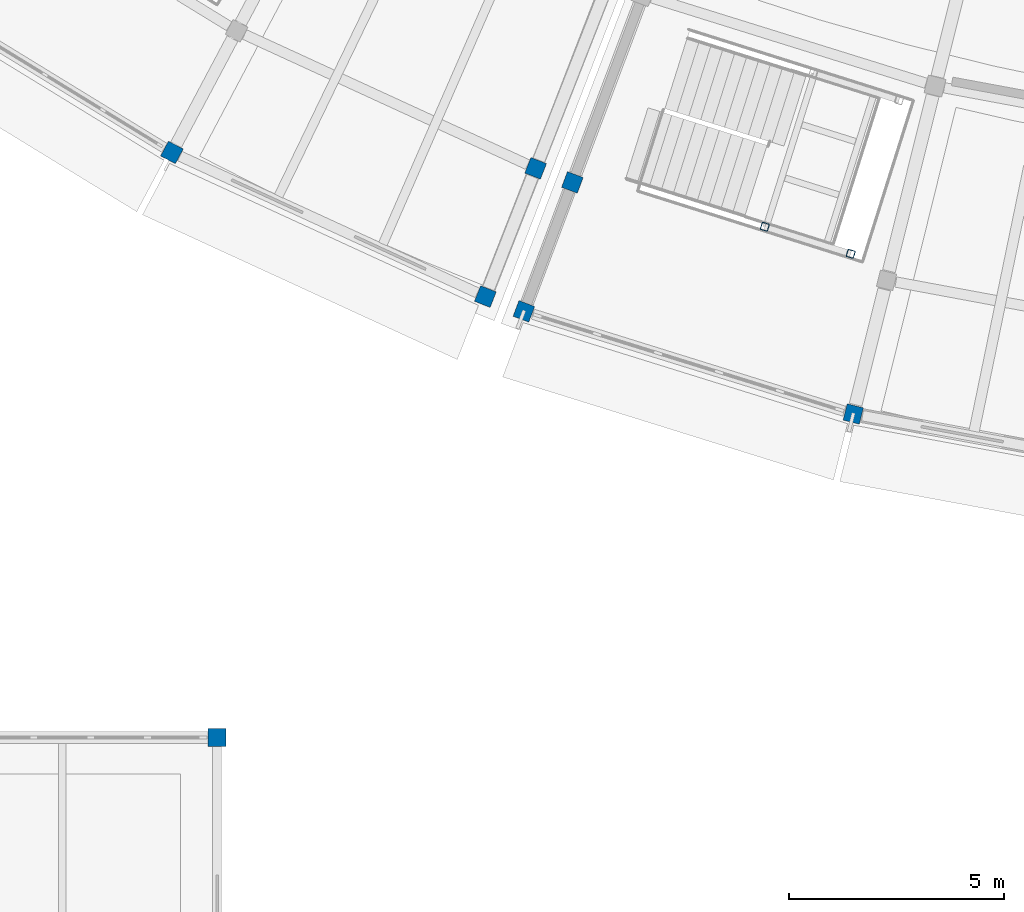
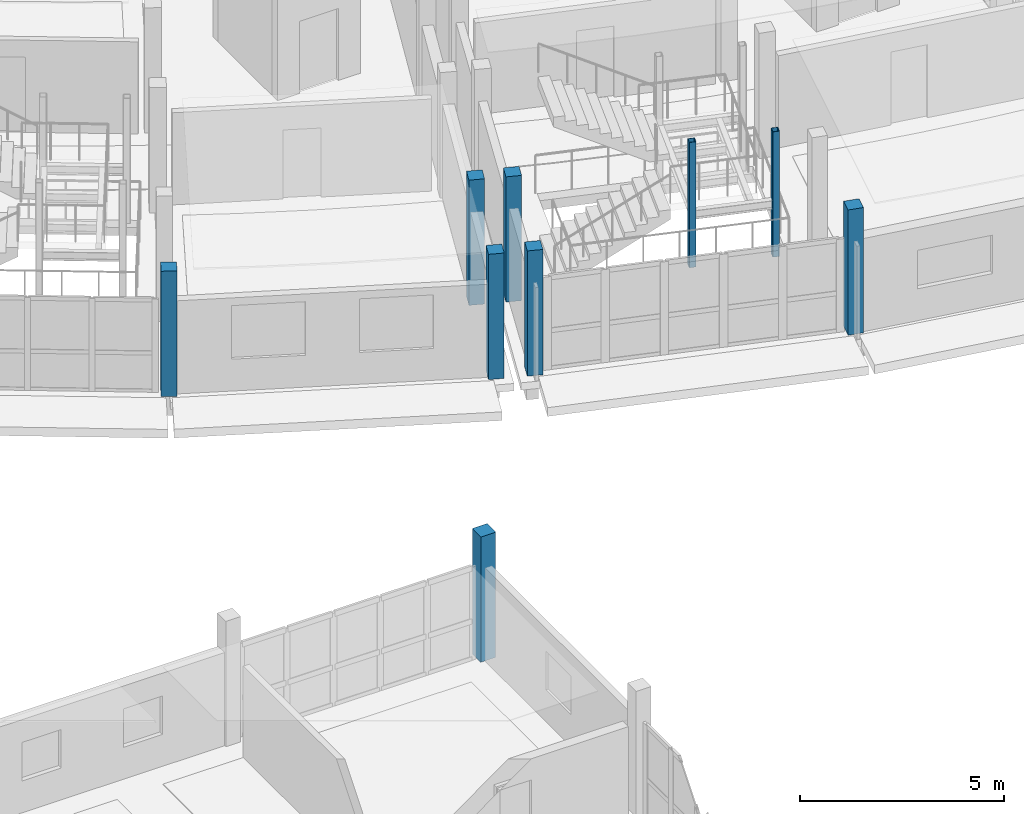
# One storey, part 3 of 77: 9 columns.
"""IFC4 building model written with IfcOpenShell, lengths in metres."""

from ifc_helpers import new_model, si_unit, direction, frame, origin, origin_2d, place, context, subcontext, project, spatial, rectangle, hollow_rectangle, extrude, material, material_profile, profile_set, type_object, element, save


model = new_model("IFC4")

# Units and contexts
model_context = context("Model", 3, precision=1e-05, world=origin(), true_north=direction((0.0, 1.0)))
body_context = subcontext(model_context, "Body", "Model", "MODEL_VIEW")
ifc_project = project(units=[si_unit("LENGTHUNIT", "METRE"), si_unit("AREAUNIT", "SQUARE_METRE"), si_unit("VOLUMEUNIT", "CUBIC_METRE"), si_unit("PLANEANGLEUNIT", "RADIAN"), si_unit("MASSUNIT", "GRAM", prefix="KILO")], contexts=[model_context])

# Site, building, storey
site_placement = place(None, origin())
site = spatial("IfcSite", under=ifc_project, at=site_placement, CompositionType="ELEMENT")
building_placement = place(site_placement, origin())
building = spatial("IfcBuilding", under=site, at=building_placement, Name="Caldaven Crescent School", CompositionType="ELEMENT")
storey_placement = place(building_placement, frame((0.0, 0.0, 4.419921875)))
storey = spatial("IfcBuildingStorey", under=building, at=storey_placement, Name="L01", CompositionType="ELEMENT", Elevation=4.419921875)

# Columns
ifc_material_1 = material(Name="Glulam MLE24h (GL28h)", Category="wood")
ifc_material_profile_1 = material_profile(ifc_material_1, rectangle(XDim=0.389892578125, YDim=0.389892578125, at=origin_2d()), Name="MLE 390x390")
ifc_profile_set_1 = profile_set([ifc_material_profile_1], Name="Glulam MLE24h (GL28h)")
column_type_1 = type_object("IfcColumnType", Name="COL-GL39", PredefinedType="COLUMN", material=ifc_profile_set_1)
for number, where, z_axis, x_axis, name in (
    (1, (55.34814453125, 34.591064453125, 0.0), (0.0, 0.0, 1.0), (-0.469471562786, -0.882947592859, 0.0), "COL-V4W-L01-04-4"),
    (2, (63.79638671875, 34.22216796875, 0.0), (0.0, 0.0, 1.0), (-0.364714278886, -0.931119484694, 0.0), "COL-V4W-L01-05-3"),
    (3, (62.629150390625, 31.24267578125, 0.0), (0.0, 0.0, 1.0), (-0.364714278886, -0.931119484694, 0.0), "COL-V4W-L01-05-4"),
    (4, (64.6494140625, 33.894775390625, 0.0), (0.0, 0.0, 1.0), (-0.352005016254, -0.93599811353, 0.0), "COL-V5-L01-00-3"),
    (5, (63.523193359375, 30.8994140625, 0.0), (0.0, 0.0, 1.0), (-0.352005016254, -0.93599811353, 0.0), "COL-V5-L01-00-4"),
    (6, (71.17431640625, 28.515869140625, 0.0), (0.0, 0.0, 1.0), (-0.2419218956, -0.970295726276, 0.0), "COL-V5-L01-01-4"),
):
    element("IfcColumn", number, at=place(storey_placement, frame(where, z_axis=z_axis, x_axis=x_axis)), inside=storey, type_object=column_type_1, Name=name, PredefinedType="COLUMN", context=body_context, shape_type="SweptSolid", body=[
        extrude(rectangle(XDim=0.389892578125, YDim=0.389892578125, at=origin_2d()), origin(), (0.0, 0.0, 1.0), 3.739990234375),
    ])
ifc_material_profile_2 = material_profile(ifc_material_1, rectangle(XDim=0.419921875, YDim=0.419921875, at=origin_2d()), Name="MLE 420x420")
ifc_profile_set_2 = profile_set([ifc_material_profile_2], Name="Glulam MLE24h (GL28h)")
column_type_2 = type_object("IfcColumnType", Name="COL-GL42", PredefinedType="COLUMN", material=ifc_profile_set_2)
column_placement = place(storey_placement, frame((56.39990234375, 21.0, 0.0), z_axis=(0.0, 0.0, 1.0), x_axis=(1.0, 0.0, 0.0)))
element("IfcColumn", 7, at=column_placement, inside=storey, type_object=column_type_2, Name="COL-V4S-L01-4-3", PredefinedType="COLUMN", context=body_context, shape_type="SweptSolid", body=[
    extrude(rectangle(XDim=0.419921875, YDim=0.419921875, at=origin_2d()), origin(), (0.0, 0.0, 1.0), 3.739990234375),
])
ifc_material_2 = material(Name="Steel ASTM A572 Grade 50", Category="steel")
ifc_material_profile_3 = material_profile(ifc_material_2, hollow_rectangle(XDim=0.179931640625, YDim=0.179931640625, WallThickness=0.010009765625, InnerFilletRadius=0.010009765625, OuterFilletRadius=0.02001953125, at=origin_2d()), Name="HSS 180x180x10")
ifc_profile_set_3 = profile_set([ifc_material_profile_3], Name="Steel ASTM A572 Grade 50")
column_type_3 = type_object("IfcColumnType", Name="COL-HS18", PredefinedType="COLUMN", material=ifc_profile_set_3)
for number, where, z_axis, x_axis, name in (
    (8, (69.12109375, 32.864990234375, 0.0), (0.0, 0.0, 1.0), (0.953716950748, -0.300705799504, 0.0), "COL-STPOST-ST2-L01-A"),
    (9, (71.114501953125, 32.236328125, 0.0), (0.0, 0.0, 1.0), (0.953716950748, -0.300705799504, 0.0), "COL-STPOST-ST2-L01-C"),
):
    element("IfcColumn", number, at=place(storey_placement, frame(where, z_axis=z_axis, x_axis=x_axis)), inside=storey, type_object=column_type_3, Name=name, PredefinedType="COLUMN", context=body_context, shape_type="SweptSolid", body=[
        extrude(hollow_rectangle(XDim=0.179931640625, YDim=0.179931640625, WallThickness=0.010009765625, InnerFilletRadius=0.010009765625, OuterFilletRadius=0.02001953125, at=origin_2d()), origin(), (0.0, 0.0, 1.0), 3.739990234375),
    ])

save(model, "model.ifc")
